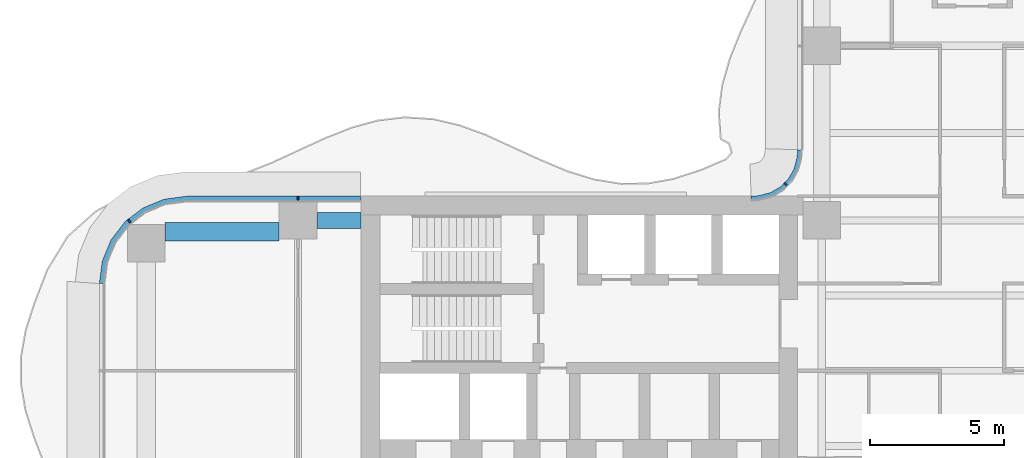
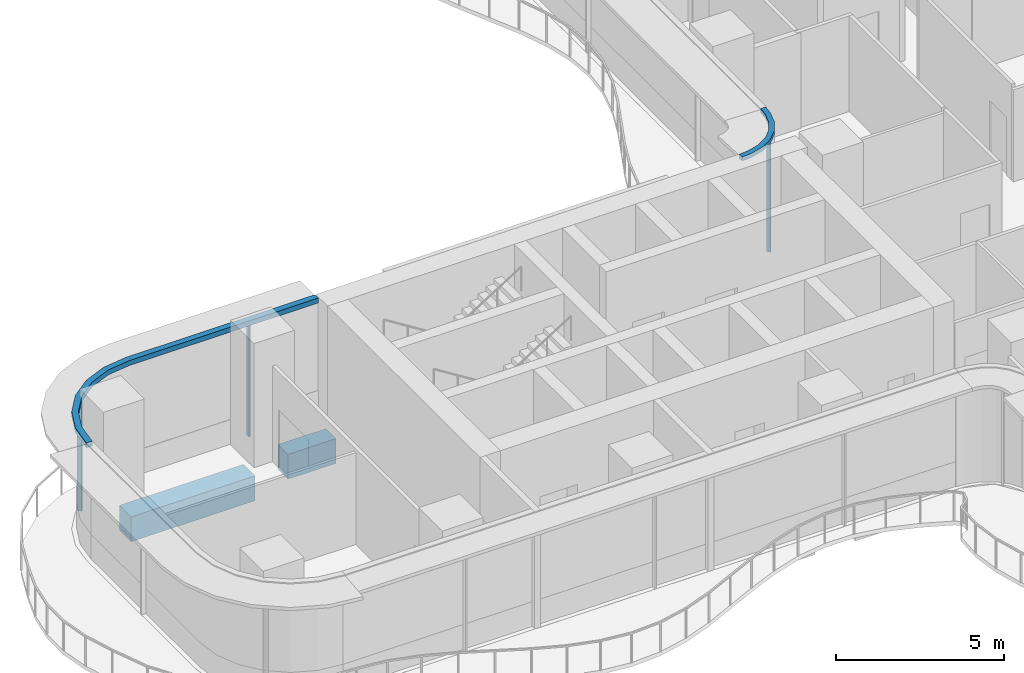
# One storey, part 8 of 22: 5 members, 2 beams, 2 elements without a shape of their own.
"""IFC4 building model written with IfcOpenShell, lengths in metres."""

import ifcopenshell
import ifcopenshell.guid

model = None  # the IFC model being written
_history = None  # IfcOwnerHistory: only IFC2X3 demands one
_inside = {}  # id of a spatial element -> (the spatial element, [elements in it])
_under = {}  # id of a project, library or spatial element -> (it, [spatial elements below it])
_declared = {}  # id of a project -> (the project, [libraries it declares])
_typed = {}  # id of a type object -> (the type object, [elements of that type])
_made_of = {}  # id of a material, layer set ... -> (it, [elements and type objects made of it])


def new_model(schema):
    """Start an empty IFC model of exactly this schema.

    Asked for "IFC4X3", IfcOpenShell would pick the latest addendum, in which some entities
    have other attributes; the version numbers below select the first issue.
    IFC2X3 requires an IfcOwnerHistory on every rooted entity: one is made here for all.
    """
    global model, _history
    if schema == "IFC4X3":
        model = ifcopenshell.file(schema_version=(4, 3, 0, 0))
    else:
        model = ifcopenshell.file(schema=schema)
    _inside.clear()
    _under.clear()
    _declared.clear()
    _typed.clear()
    _made_of.clear()
    _history = None
    if model.schema == "IFC2X3":
        org = make("IfcOrganization", Name="unknown")
        user = make(
            "IfcPersonAndOrganization",
            ThePerson=make("IfcPerson", FamilyName="unknown"),
            TheOrganization=org,
        )
        app = make(
            "IfcApplication",
            ApplicationDeveloper=org,
            Version="unknown",
            ApplicationFullName="unknown",
            ApplicationIdentifier="unknown",
        )
        _history = make(
            "IfcOwnerHistory",
            OwningUser=user,
            OwningApplication=app,
            ChangeAction="ADDED",
            CreationDate=0,
        )
    return model


def make(cls, **values):
    """One entity of the class cls with the attributes given. An attribute that is None is left unset."""
    return model.create_entity(
        cls, **{name: value for name, value in values.items() if value is not None}
    )


def rooted(cls, **values):
    """An entity with a GlobalId (a new one), such as an element, a storey or a relation."""
    return make(cls, GlobalId=ifcopenshell.guid.new(), OwnerHistory=_history, **values)


def si_unit(unit_type, name, prefix=None):
    """IfcSIUnit, for example si_unit("LENGTHUNIT", "METRE", prefix="MILLI")."""
    return make("IfcSIUnit", UnitType=unit_type, Prefix=prefix, Name=name)


def assignment(units):
    """IfcUnitAssignment: the units of a project."""
    return None if units is None else make("IfcUnitAssignment", Units=units)


def point(xyz):
    """IfcCartesianPoint."""
    return None if xyz is None else make("IfcCartesianPoint", Coordinates=xyz)


def direction(xyz):
    """IfcDirection."""
    return None if xyz is None else make("IfcDirection", DirectionRatios=xyz)


def frame(location, z_axis=None, x_axis=None):
    """IfcAxis2Placement3D, a coordinate frame: its origin and axes. An axis left out is left unset."""
    return make(
        "IfcAxis2Placement3D",
        Location=point(location),
        Axis=direction(z_axis),
        RefDirection=direction(x_axis),
    )


def frame_2d(location, x_axis=None):
    """IfcAxis2Placement2D, a coordinate frame in the plane: its origin and x axis."""
    return make(
        "IfcAxis2Placement2D", Location=point(location), RefDirection=direction(x_axis)
    )


def origin():
    """The frame at (0, 0, 0) with its axes left unset."""
    return frame((0.0, 0.0, 0.0))


def origin_2d():
    """The frame at (0, 0) in the plane with its x axis left unset."""
    return frame_2d((0.0, 0.0))


def place(relative_to, where):
    """IfcLocalPlacement: puts the frame where relative to a parent placement (None: the world)."""
    return make(
        "IfcLocalPlacement", PlacementRelTo=relative_to, RelativePlacement=where
    )


def context(
    kind, dimensions, precision=None, world=None, true_north=None, identifier=None
):
    """IfcGeometricRepresentationContext, for example the 3D "Model" context."""
    return make(
        "IfcGeometricRepresentationContext",
        ContextIdentifier=identifier,
        ContextType=kind,
        CoordinateSpaceDimension=dimensions,
        Precision=precision,
        WorldCoordinateSystem=world,
        TrueNorth=true_north,
    )


def subcontext(parent, identifier, kind, view, scale=None):
    """IfcGeometricRepresentationSubContext, for example "Body" below "Model"."""
    return make(
        "IfcGeometricRepresentationSubContext",
        ContextIdentifier=identifier,
        ContextType=kind,
        ParentContext=parent,
        TargetScale=scale,
        TargetView=view,
    )


def project(units=None, contexts=None):
    """IfcProject with its units and contexts."""
    return rooted(
        "IfcProject",
        Name="project",
        RepresentationContexts=contexts,
        UnitsInContext=assignment(units),
    )


def spatial(cls, under=None, at=None, **own):
    """A site, building, storey or space (cls), placed at a placement, below another one or the project."""
    s = rooted(cls, ObjectPlacement=at, **own)
    if under is not None:
        _under.setdefault(under.id(), (under, []))[1].append(s)
    return s


def polyline(points):
    """IfcPolyline through the points."""
    return make("IfcPolyline", Points=[point(p) for p in points])


def profile(cls, at=None, kind="AREA", **sizes):
    """A parametric profile (cls). Its sizes go by their IFC names, for example OverallWidth=200.0."""
    return make(cls, ProfileType=kind, Position=at, **sizes)


def rectangle(**sizes):
    """IfcRectangleProfileDef."""
    return profile("IfcRectangleProfileDef", **sizes)


def outline(outer, holes=None, kind="AREA"):
    """IfcArbitraryClosedProfileDef: a profile drawn as a closed curve; with holes, ...WithVoids."""
    if holes is None:
        return make("IfcArbitraryClosedProfileDef", ProfileType=kind, OuterCurve=outer)
    return make(
        "IfcArbitraryProfileDefWithVoids",
        ProfileType=kind,
        OuterCurve=outer,
        InnerCurves=holes,
    )


def extrude(swept, where, along, depth):
    """IfcExtrudedAreaSolid: the profile swept, set in the frame where, extruded along a direction by depth."""
    return make(
        "IfcExtrudedAreaSolid",
        SweptArea=swept,
        Position=where,
        ExtrudedDirection=direction(along),
        Depth=depth,
    )


def shape(context_of_items, identifier, shape_type, items):
    """IfcShapeRepresentation: the items that make up one representation, for example the "Body"."""
    return make(
        "IfcShapeRepresentation",
        ContextOfItems=context_of_items,
        RepresentationIdentifier=identifier,
        RepresentationType=shape_type,
        Items=items,
    )


def source(mapping_origin, context_of_items, identifier, shape_type, items):
    """IfcRepresentationMap: a shape defined once, which mapped items show again and again."""
    return make(
        "IfcRepresentationMap",
        MappingOrigin=mapping_origin,
        MappedRepresentation=shape(context_of_items, identifier, shape_type, items),
    )


def transform(
    local_origin,
    x_axis=None,
    y_axis=None,
    z_axis=None,
    scale=None,
    scale2=None,
    scale3=None,
    uniform=True,
):
    """IfcCartesianTransformationOperator3D, or its non-uniform kind. x_axis, y_axis, z_axis: its Axis1, 2, 3."""
    if uniform:
        return make(
            "IfcCartesianTransformationOperator3D",
            Axis1=direction(x_axis),
            Axis2=direction(y_axis),
            LocalOrigin=point(local_origin),
            Scale=scale,
            Axis3=direction(z_axis),
        )
    return make(
        "IfcCartesianTransformationOperator3DnonUniform",
        Axis1=direction(x_axis),
        Axis2=direction(y_axis),
        LocalOrigin=point(local_origin),
        Scale=scale,
        Axis3=direction(z_axis),
        Scale2=scale2,
        Scale3=scale3,
    )


def mapped(mapping_source, mapping_target):
    """IfcMappedItem: shows the shape of a source again, moved by a transform."""
    return make(
        "IfcMappedItem", MappingSource=mapping_source, MappingTarget=mapping_target
    )


def material(Name=None, Category=None):
    """IfcMaterial."""
    return make("IfcMaterial", Name=Name, Category=Category)


def layer(
    of_material, thickness, ventilated=None, Name=None, Category=None, Priority=None
):
    """IfcMaterialLayer: one layer of a wall or slab, of a material (None: an air gap)."""
    return make(
        "IfcMaterialLayer",
        Material=of_material,
        LayerThickness=thickness,
        IsVentilated=ventilated,
        Name=Name,
        Category=Category,
        Priority=Priority,
    )


def layer_set(layers, Name=None):
    """IfcMaterialLayerSet."""
    return make("IfcMaterialLayerSet", MaterialLayers=layers, LayerSetName=Name)


def material_profile(
    of_material, cross_section, Name=None, Category=None, Priority=None
):
    """IfcMaterialProfile: a cross section and its material."""
    return make(
        "IfcMaterialProfile",
        Name=Name,
        Material=of_material,
        Profile=cross_section,
        Priority=Priority,
        Category=Category,
    )


def profile_set(profiles, Name=None, composite=None):
    """IfcMaterialProfileSet."""
    return make(
        "IfcMaterialProfileSet",
        Name=Name,
        MaterialProfiles=profiles,
        CompositeProfile=composite,
    )


def made_of(thing, what):
    """Note that an element or type object is made of a material, layer set ...; save() writes the relation."""
    if what is not None:
        _made_of.setdefault(what.id(), (what, []))[1].append(thing)
    return thing


def type_object(cls, material=None, **own):
    """A type object (cls), such as IfcWallType, which elements share."""
    return made_of(rooted(cls, **own), material)


def element(
    cls,
    number,
    at=None,
    inside=None,
    cuts=None,
    type_object=None,
    material=None,
    context=None,
    identifier="Body",
    shape_type=None,
    held_by="IfcProductDefinitionShape",
    body=None,
    shapes=None,
    **own,
):
    """One element of the class cls, such as IfcWall. Its Tag is "e" and its number.

    at: its placement. inside: the storey or other place that contains it. cuts: it is an
    opening in that element (IfcRelVoidsElement). A single representation is given by context,
    identifier, shape_type and body (its items); several are given by shapes. held_by: the class
    of the entity that holds the representations. save() writes the other relations.
    """
    e = rooted(cls, Tag="e%d" % number, ObjectPlacement=at, **own)
    if body is not None:
        shapes = [shape(context, identifier, shape_type, body)]
    if shapes is not None:
        e.Representation = make(held_by, Representations=shapes)
    if inside is not None:
        _inside.setdefault(inside.id(), (inside, []))[1].append(e)
    if cuts is not None:
        rooted(
            "IfcRelVoidsElement", RelatingBuildingElement=cuts, RelatedOpeningElement=e
        )
    if type_object is not None:
        _typed.setdefault(type_object.id(), (type_object, []))[1].append(e)
    return made_of(e, material)


def aggregate(whole, parts):
    """IfcRelAggregates: a whole, such as a stair, and the parts it consists of."""
    return rooted("IfcRelAggregates", RelatingObject=whole, RelatedObjects=parts)


def save(model, path):
    """Write the relations noted so far, then the file.

    IfcRelAggregates (storeys below a building ...), IfcRelContainedInSpatialStructure (elements
    in a storey), IfcRelDefinesByType, IfcRelAssociatesMaterial and IfcRelDeclares: one each for
    every whole, place, type object, material and project.
    """
    for whole, parts in _under.values():
        aggregate(whole, parts)
    for where, things in _inside.values():
        rooted(
            "IfcRelContainedInSpatialStructure",
            RelatedElements=things,
            RelatingStructure=where,
        )
    for kind, things in _typed.values():
        rooted("IfcRelDefinesByType", RelatedObjects=things, RelatingType=kind)
    for what, things in _made_of.values():
        rooted("IfcRelAssociatesMaterial", RelatedObjects=things, RelatingMaterial=what)
    for by, libraries in _declared.values():
        rooted("IfcRelDeclares", RelatingContext=by, RelatedDefinitions=libraries)
    model.write(path)


model = new_model("IFC4")

# Units and contexts
model_context = context("Model", 3, precision=1e-05, world=origin(), true_north=direction((0.0, 1.0)))
body_context = subcontext(model_context, "Body", "Model", "MODEL_VIEW")
ifc_project = project(units=[si_unit("LENGTHUNIT", "METRE"), si_unit("AREAUNIT", "SQUARE_METRE"), si_unit("VOLUMEUNIT", "CUBIC_METRE"), si_unit("PLANEANGLEUNIT", "RADIAN"), si_unit("MASSUNIT", "GRAM", prefix="KILO")], contexts=[model_context])

# Site, building, storey
site_placement = place(None, origin())
site = spatial("IfcSite", under=ifc_project, at=site_placement, CompositionType="ELEMENT")
building_placement = place(site_placement, origin())
building = spatial("IfcBuilding", under=site, at=building_placement, Name="Trellis Farm Tower", CompositionType="ELEMENT")
storey_placement = place(building_placement, frame((0.0, 0.0, 43.0)))
storey = spatial("IfcBuildingStorey", under=building, at=storey_placement, Name="L08", CompositionType="ELEMENT", Elevation=43.0)

# Beams
ifc_material_1 = material(Name="Concrete C60/75", Category="concrete")
ifc_material_profile_1 = material_profile(ifc_material_1, rectangle(XDim=0.699951171875, YDim=0.89990234375, at=origin_2d()), Name="RC spandrel beam 700x900 C60/75")
ifc_profile_set_1 = profile_set([ifc_material_profile_1], Name="Concrete C60/75")
beam_type_1 = type_object("IfcBeamType", Name="RC spandrel beam 700x900 C60/75", PredefinedType="SPANDREL", material=ifc_profile_set_1)
shared_shape_1 = source(origin(), body_context, "Body", "SweptSolid", [
    extrude(rectangle(XDim=0.699951171875, YDim=0.89990234375, at=origin_2d()), origin(), (0.0, 0.0, 1.0), 4.25),
])
beam_1_placement = place(storey_placement, frame((-30.050048828125, 5.175048828125, -0.699951171875), z_axis=(1.0, 0.0, 0.0), x_axis=(0.0, 1.0, 0.0)))
element("IfcBeam", 1, at=beam_1_placement, inside=storey, type_object=beam_type_1, Name="Girder", PredefinedType="SPANDREL", context=body_context, shape_type="MappedRepresentation", body=[
    mapped(shared_shape_1, transform((0.0, 0.0, 0.0))),
])
ifc_material_profile_2 = material_profile(ifc_material_1, rectangle(XDim=0.60009765625, YDim=0.89990234375, at=origin_2d()), Name="RC spandrel beam 600x900 C60/75")
ifc_profile_set_2 = profile_set([ifc_material_profile_2], Name="Concrete C60/75")
beam_type_2 = type_object("IfcBeamType", Name="RC spandrel beam 600x900 C60/75", PredefinedType="SPANDREL", material=ifc_profile_set_2)
shared_shape_2 = source(origin(), body_context, "Body", "SweptSolid", [
    extrude(rectangle(XDim=0.60009765625, YDim=0.89990234375, at=origin_2d()), origin(), (0.0, 0.0, 1.0), 1.64990234375),
])
beam_2_placement = place(storey_placement, frame((-24.39990234375, 5.60009765625, -0.699951171875), z_axis=(1.0, 0.0, 0.0), x_axis=(0.0, 1.0, 0.0)))
element("IfcBeam", 2, at=beam_2_placement, inside=storey, type_object=beam_type_2, Name="Girder", PredefinedType="SPANDREL", context=body_context, shape_type="MappedRepresentation", body=[
    mapped(shared_shape_2, transform((0.0, 0.0, 0.0))),
])

# Curtain wall, members
ifc_material_2 = material(Name="Aluminium and glass curtain wall", Category="aluminium")
ifc_layer_1 = layer(ifc_material_2, 0.18994140625)
ifc_layer_set_1 = layer_set([ifc_layer_1], Name="RIBBON CURTAIN WALL CW1")
curtain_wall_type_1 = type_object("IfcCurtainWallType", Name="RIBBON CURTAIN WALL CW1", PredefinedType="NOTDEFINED", material=ifc_layer_set_1)
placement = place(storey_placement, origin())
curtain_wall_1 = element("IfcCurtainWall", 3, at=placement, inside=storey, type_object=curtain_wall_type_1, Name="CW1 012", PredefinedType="NOTDEFINED")
ifc_material_3 = material(Name="Aluminium extrusion 6063-T6", Category="aluminium")
ifc_material_profile_3 = material_profile(ifc_material_3, rectangle(XDim=0.06005859375, YDim=0.14990234375, at=origin_2d()), Name="MULLION 60x150")
ifc_profile_set_3 = profile_set([ifc_material_profile_3], Name="Aluminium extrusion 6063-T6")
member_type_1 = type_object("IfcMemberType", Name="CW1 MULLION 60x150", PredefinedType="MULLION", material=ifc_profile_set_3)
shared_shape_3 = source(origin(), body_context, "Body", "SweptSolid", [
    extrude(rectangle(XDim=0.06005859375, YDim=0.14990234375, at=origin_2d()), origin(), (0.0, 0.0, 1.0), 4.070068359375),
])
member_1_placement = place(storey_placement, frame((-25.10009765625, 6.425048828125, 0.0), z_axis=(0.0, 0.0, 1.0), x_axis=(-1.0, 0.0, 0.0)))
member_1 = element("IfcMember", 4, at=member_1_placement, type_object=member_type_1, Name="MU1 012-01", PredefinedType="MULLION", context=body_context, shape_type="MappedRepresentation", body=[
    mapped(shared_shape_3, transform((0.0, 0.0, 0.0))),
])
member_2_placement = place(storey_placement, frame((-31.385498046875, 5.578369140625, 0.0), z_axis=(0.0, 0.0, 1.0), x_axis=(-0.793353340291, -0.608761429009, 0.0)))
member_2 = element("IfcMember", 5, at=member_2_placement, type_object=member_type_1, Name="MU1 012-02", PredefinedType="MULLION", context=body_context, shape_type="MappedRepresentation", body=[
    mapped(shared_shape_3, transform((0.0, 0.0, 0.0))),
])

ifc_layer_2 = layer(ifc_material_2, 0.166015625)
ifc_layer_set_2 = layer_set([ifc_layer_2], Name="WINTER GARDEN CURTAIN WALL CW3")
curtain_wall_type_2 = type_object("IfcCurtainWallType", Name="WINTER GARDEN CURTAIN WALL CW3", PredefinedType="NOTDEFINED", material=ifc_layer_set_2)
curtain_wall_2 = element("IfcCurtainWall", 6, at=placement, inside=storey, type_object=curtain_wall_type_2, Name="CW3 004", PredefinedType="NOTDEFINED")
ifc_material_profile_4 = material_profile(ifc_material_3, rectangle(XDim=0.050048828125, YDim=0.1201171875, at=origin_2d()), Name="MULLION 50x120")
ifc_profile_set_4 = profile_set([ifc_material_profile_4], Name="Aluminium extrusion 6063-T6")
member_type_2 = type_object("IfcMemberType", Name="CW3 MULLION 50x120", PredefinedType="MULLION", material=ifc_profile_set_4)
shared_shape_4 = source(origin(), body_context, "Body", "SweptSolid", [
    extrude(rectangle(XDim=0.050048828125, YDim=0.1201171875, at=origin_2d()), origin(), (0.0, 0.0, 1.0), 4.10009765625),
])
member_3_placement = place(storey_placement, frame((-6.953125, 6.953125, 0.0), z_axis=(0.0, 0.0, 1.0), x_axis=(-0.707106781187, -0.707106781187, 0.0)))
member_3 = element("IfcMember", 7, at=member_3_placement, type_object=member_type_2, Name="MU3 004-01", PredefinedType="MULLION", context=body_context, shape_type="MappedRepresentation", body=[
    mapped(shared_shape_4, transform((0.0, 0.0, 0.0))),
])
ifc_layer_3 = layer(ifc_material_3, 0.169921875)
ifc_layer_set_3 = layer_set([ifc_layer_3], Name="Aluminium extrusion 6063-T6")
member_type_3 = type_object("IfcMemberType", Name="CW3 TRANSOM 170x150", PredefinedType="USERDEFINED", material=ifc_layer_set_3)
shared_shape_5 = source(origin(), body_context, "Body", "SweptSolid", [
    extrude(outline(polyline([(-6.5, 8.2314453125), (-6.513916015625, 8.01953125), (-6.527587890625, 7.91552734375), (-6.63671875, 7.508544921875), (-6.846923828125, 7.144287109375), (-7.144287109375, 6.846923828125), (-7.508544921875, 6.63671875), (-7.91552734375, 6.527587890625), (-8.01953125, 6.513916015625), (-8.2314453125, 6.5), (-8.225830078125, 6.330078125), (-8.0029296875, 6.3447265625), (-7.88232421875, 6.360595703125), (-7.44287109375, 6.478271484375), (-7.0400390625, 6.7109375), (-6.7109375, 7.0400390625), (-6.478271484375, 7.44287109375), (-6.360595703125, 7.88232421875), (-6.3447265625, 8.0029296875), (-6.330078125, 8.225830078125), (-6.5, 8.2314453125)])), origin(), (0.0, 0.0, 1.0), 0.14990234375),
])
member_4_placement = place(storey_placement, frame((0.0, 0.0, 4.10009765625)))
member_4 = element("IfcMember", 8, at=member_4_placement, type_object=member_type_3, Name="TR3 004", ObjectType="TRANSOM", PredefinedType="USERDEFINED", context=body_context, shape_type="MappedRepresentation", body=[
    mapped(shared_shape_5, transform((0.0, 0.0, 0.0))),
])
aggregate(curtain_wall_2, [member_3, member_4])

# Member
ifc_layer_4 = layer(ifc_material_3, 0.199951171875)
ifc_layer_set_4 = layer_set([ifc_layer_4], Name="Aluminium extrusion 6063-T6")
member_type_4 = type_object("IfcMemberType", Name="CW1 TRANSOM 200x180", PredefinedType="USERDEFINED", material=ifc_layer_set_4)
shared_shape_6 = source(origin(), body_context, "Body", "SweptSolid", [
    extrude(outline(polyline([(-22.780029296875, 6.5), (-29.25, 6.5), (-30.091064453125, 6.38916015625), (-30.875, 6.064697265625), (-31.548095703125, 5.548095703125), (-32.064697265625, 4.875), (-32.38916015625, 4.091064453125), (-32.5, 3.25), (-32.300048828125, 3.23681640625), (-32.1943359375, 4.0390625), (-31.889892578125, 4.774169921875), (-31.405517578125, 5.405517578125), (-30.774169921875, 5.889892578125), (-30.0390625, 6.1943359375), (-29.23681640625, 6.300048828125), (-22.780029296875, 6.300048828125), (-22.780029296875, 6.5)])), origin(), (0.0, 0.0, 1.0), 0.179931640625),
])
member_5_placement = place(storey_placement, frame((0.0, 0.0, 4.070068359375)))
member_5 = element("IfcMember", 9, at=member_5_placement, type_object=member_type_4, Name="TR1 012", ObjectType="TRANSOM", PredefinedType="USERDEFINED", context=body_context, shape_type="MappedRepresentation", body=[
    mapped(shared_shape_6, transform((0.0, 0.0, 0.0))),
])

aggregate(curtain_wall_1, [member_1, member_2, member_5])

save(model, "model.ifc")
